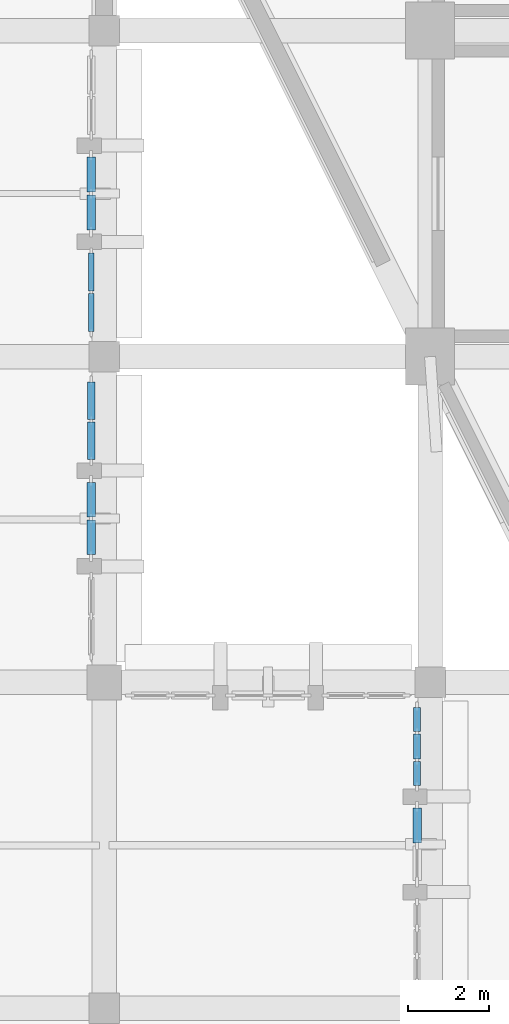
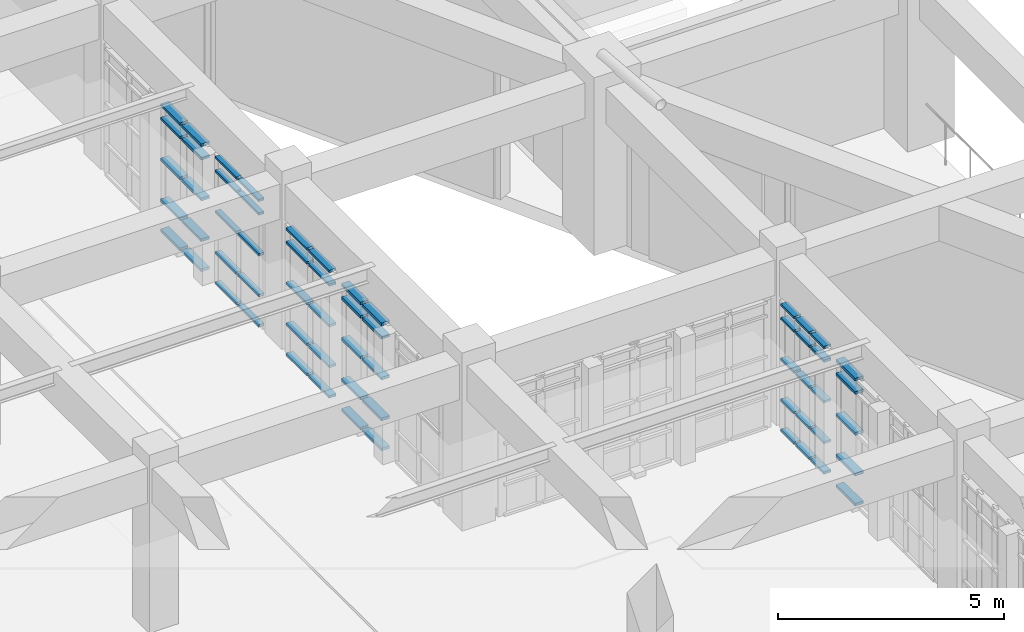
# One storey, part 57 of 155: 60 members, 6 elements without a shape of their own.
"""IFC4 building model written with IfcOpenShell, lengths in metres."""

from ifc_helpers import new_model, si_unit, direction, frame, origin, origin_2d, place, context, subcontext, project, spatial, rectangle, extrude, material, layer, layer_set, material_profile, profile_set, type_object, element, aggregate, save


model = new_model("IFC4")

# Units and contexts
model_context = context("Model", 3, precision=1e-05, world=origin(), true_north=direction((0.0, 1.0)))
body_context = subcontext(model_context, "Body", "Model", "MODEL_VIEW")
ifc_project = project(units=[si_unit("LENGTHUNIT", "METRE"), si_unit("AREAUNIT", "SQUARE_METRE"), si_unit("VOLUMEUNIT", "CUBIC_METRE"), si_unit("PLANEANGLEUNIT", "RADIAN"), si_unit("MASSUNIT", "GRAM", prefix="KILO")], contexts=[model_context])

# Site, building, storey
site_placement = place(None, origin())
site = spatial("IfcSite", under=ifc_project, at=site_placement, CompositionType="ELEMENT")
building_placement = place(site_placement, origin())
building = spatial("IfcBuilding", under=site, at=building_placement, Name="Tazarka Park Arena", CompositionType="ELEMENT")
storey_placement = place(building_placement, frame((0.0, 0.0, 5.39990234375)))
storey = spatial("IfcBuildingStorey", under=building, at=storey_placement, Name="L01", CompositionType="ELEMENT", Elevation=5.39990234375)

# Curtain wall, members
ifc_material_1 = material(Name="Aluminium and low-e glass", Category="aluminium")
ifc_layer_1 = layer(ifc_material_1, 0.179931640625, Name="Aluminium and low-e glass")
ifc_layer_set_1 = layer_set([ifc_layer_1], Name="Aluminium and low-e glass")
curtain_wall_type_1 = type_object("IfcCurtainWallType", Name="CW-18", PredefinedType="NOTDEFINED", material=ifc_layer_set_1)
curtain_wall_1_placement = place(storey_placement, origin())
curtain_wall_1 = element("IfcCurtainWall", 1, at=curtain_wall_1_placement, inside=storey, type_object=curtain_wall_type_1, Name="Curtain Wall CWA-L01-108", PredefinedType="NOTDEFINED")
ifc_material_2 = material(Name="Aluminium 6060-T66", Category="aluminium")
ifc_material_profile_1 = material_profile(ifc_material_2, rectangle(XDim=0.139892578125, YDim=0.06494140625, at=origin_2d()), Name="Aluminium 6060-T66")
ifc_profile_set_1 = profile_set([ifc_material_profile_1], Name="Aluminium 6060-T66")
member_type_1 = type_object("IfcMemberType", Name="CWT-01", PredefinedType="USERDEFINED", material=ifc_profile_set_1)
member_1_placement = place(storey_placement, frame((39.679931640625, 50.543212890625, 0.03271484375), z_axis=(0.0, -1.0, 0.0), x_axis=(1.0, 0.0, 0.0)))
member_1 = element("IfcMember", 2, at=member_1_placement, type_object=member_type_1, Name="CW-18 transom 1.1", ObjectType="TRANSOM", PredefinedType="USERDEFINED", context=body_context, shape_type="SweptSolid", body=[
    extrude(rectangle(XDim=0.139892578125, YDim=0.06494140625, at=origin_2d()), origin(), (0.0, 0.0, 1.0), 0.928955078125),
])
member_2_placement = place(storey_placement, frame((39.679931640625, 50.543212890625, 0.85009765625), z_axis=(0.0, -1.0, 0.0), x_axis=(1.0, 0.0, 0.0)))
member_2 = element("IfcMember", 3, at=member_2_placement, type_object=member_type_1, Name="CW-18 transom 1.2", ObjectType="TRANSOM", PredefinedType="USERDEFINED", context=body_context, shape_type="SweptSolid", body=[
    extrude(rectangle(XDim=0.139892578125, YDim=0.06494140625, at=origin_2d()), origin(), (0.0, 0.0, 1.0), 0.928955078125),
])
member_3_placement = place(storey_placement, frame((39.679931640625, 50.543212890625, 1.9501953125), z_axis=(0.0, -1.0, 0.0), x_axis=(1.0, 0.0, 0.0)))
member_3 = element("IfcMember", 4, at=member_3_placement, type_object=member_type_1, Name="CW-18 transom 1.3", ObjectType="TRANSOM", PredefinedType="USERDEFINED", context=body_context, shape_type="SweptSolid", body=[
    extrude(rectangle(XDim=0.139892578125, YDim=0.06494140625, at=origin_2d()), origin(), (0.0, 0.0, 1.0), 0.928955078125),
])
member_4_placement = place(storey_placement, frame((39.679931640625, 50.543212890625, 3.050048828125), z_axis=(0.0, -1.0, 0.0), x_axis=(1.0, 0.0, 0.0)))
member_4 = element("IfcMember", 5, at=member_4_placement, type_object=member_type_1, Name="CW-18 transom 1.4", ObjectType="TRANSOM", PredefinedType="USERDEFINED", context=body_context, shape_type="SweptSolid", body=[
    extrude(rectangle(XDim=0.139892578125, YDim=0.06494140625, at=origin_2d()), origin(), (0.0, 0.0, 1.0), 0.928955078125),
])
member_5_placement = place(storey_placement, frame((39.679931640625, 50.543212890625, 3.41748046875), z_axis=(0.0, -1.0, 0.0), x_axis=(1.0, 0.0, 0.0)))
member_5 = element("IfcMember", 6, at=member_5_placement, type_object=member_type_1, Name="CW-18 transom 1.5", ObjectType="TRANSOM", PredefinedType="USERDEFINED", context=body_context, shape_type="SweptSolid", body=[
    extrude(rectangle(XDim=0.139892578125, YDim=0.06494140625, at=origin_2d()), origin(), (0.0, 0.0, 1.0), 0.928955078125),
])
member_6_placement = place(storey_placement, frame((39.679931640625, 49.549072265625, 0.03271484375), z_axis=(0.0, -1.0, 0.0), x_axis=(1.0, 0.0, 0.0)))
member_6 = element("IfcMember", 7, at=member_6_placement, type_object=member_type_1, Name="CW-18 transom 2.1", ObjectType="TRANSOM", PredefinedType="USERDEFINED", context=body_context, shape_type="SweptSolid", body=[
    extrude(rectangle(XDim=0.139892578125, YDim=0.06494140625, at=origin_2d()), origin(), (0.0, 0.0, 1.0), 0.928955078125),
])
member_7_placement = place(storey_placement, frame((39.679931640625, 49.549072265625, 0.85009765625), z_axis=(0.0, -1.0, 0.0), x_axis=(1.0, 0.0, 0.0)))
member_7 = element("IfcMember", 8, at=member_7_placement, type_object=member_type_1, Name="CW-18 transom 2.2", ObjectType="TRANSOM", PredefinedType="USERDEFINED", context=body_context, shape_type="SweptSolid", body=[
    extrude(rectangle(XDim=0.139892578125, YDim=0.06494140625, at=origin_2d()), origin(), (0.0, 0.0, 1.0), 0.928955078125),
])
member_8_placement = place(storey_placement, frame((39.679931640625, 49.549072265625, 1.9501953125), z_axis=(0.0, -1.0, 0.0), x_axis=(1.0, 0.0, 0.0)))
member_8 = element("IfcMember", 9, at=member_8_placement, type_object=member_type_1, Name="CW-18 transom 2.3", ObjectType="TRANSOM", PredefinedType="USERDEFINED", context=body_context, shape_type="SweptSolid", body=[
    extrude(rectangle(XDim=0.139892578125, YDim=0.06494140625, at=origin_2d()), origin(), (0.0, 0.0, 1.0), 0.928955078125),
])
member_9_placement = place(storey_placement, frame((39.679931640625, 49.549072265625, 3.050048828125), z_axis=(0.0, -1.0, 0.0), x_axis=(1.0, 0.0, 0.0)))
member_9 = element("IfcMember", 10, at=member_9_placement, type_object=member_type_1, Name="CW-18 transom 2.4", ObjectType="TRANSOM", PredefinedType="USERDEFINED", context=body_context, shape_type="SweptSolid", body=[
    extrude(rectangle(XDim=0.139892578125, YDim=0.06494140625, at=origin_2d()), origin(), (0.0, 0.0, 1.0), 0.928955078125),
])
member_10_placement = place(storey_placement, frame((39.679931640625, 49.549072265625, 3.41748046875), z_axis=(0.0, -1.0, 0.0), x_axis=(1.0, 0.0, 0.0)))
member_10 = element("IfcMember", 11, at=member_10_placement, type_object=member_type_1, Name="CW-18 transom 2.5", ObjectType="TRANSOM", PredefinedType="USERDEFINED", context=body_context, shape_type="SweptSolid", body=[
    extrude(rectangle(XDim=0.139892578125, YDim=0.06494140625, at=origin_2d()), origin(), (0.0, 0.0, 1.0), 0.928955078125),
])
aggregate(curtain_wall_1, [member_1, member_2, member_3, member_4, member_5, member_6, member_7, member_8, member_9, member_10])

ifc_material_3 = material(Name="Aluminium and low-e glass", Category="aluminium")
ifc_layer_2 = layer(ifc_material_3, 0.179931640625, Name="Aluminium and low-e glass")
ifc_layer_set_2 = layer_set([ifc_layer_2], Name="Aluminium and low-e glass")
curtain_wall_type_2 = type_object("IfcCurtainWallType", Name="CW-07", PredefinedType="NOTDEFINED", material=ifc_layer_set_2)
curtain_wall_2_placement = place(storey_placement, origin())
curtain_wall_2 = element("IfcCurtainWall", 12, at=curtain_wall_2_placement, inside=storey, type_object=curtain_wall_type_2, Name="Curtain Wall CWA-L01-097", PredefinedType="NOTDEFINED")
ifc_material_4 = material(Name="Aluminium 6060-T66", Category="aluminium")
ifc_material_profile_2 = material_profile(ifc_material_4, rectangle(XDim=0.179931640625, YDim=0.06494140625, at=origin_2d()), Name="Aluminium 6060-T66")
ifc_profile_set_2 = profile_set([ifc_material_profile_2], Name="Aluminium 6060-T66")
member_type_2 = type_object("IfcMemberType", Name="CWT-02", PredefinedType="USERDEFINED", material=ifc_profile_set_2)
member_11_placement = place(storey_placement, frame((47.679931640625, 39.3798828125, 0.03271484375), z_axis=(0.0, -1.0, 0.0), x_axis=(1.0, 0.0, 0.0)))
member_11 = element("IfcMember", 13, at=member_11_placement, type_object=member_type_2, Name="CW-07 transom 1.1", ObjectType="TRANSOM", PredefinedType="USERDEFINED", context=body_context, shape_type="SweptSolid", body=[
    extrude(rectangle(XDim=0.179931640625, YDim=0.06494140625, at=origin_2d()), origin(), (0.0, 0.0, 1.0), 0.581298828125),
])
member_12_placement = place(storey_placement, frame((47.679931640625, 39.3798828125, 0.85009765625), z_axis=(0.0, -1.0, 0.0), x_axis=(1.0, 0.0, 0.0)))
member_12 = element("IfcMember", 14, at=member_12_placement, type_object=member_type_2, Name="CW-07 transom 1.2", ObjectType="TRANSOM", PredefinedType="USERDEFINED", context=body_context, shape_type="SweptSolid", body=[
    extrude(rectangle(XDim=0.179931640625, YDim=0.06494140625, at=origin_2d()), origin(), (0.0, 0.0, 1.0), 0.581298828125),
])
member_13_placement = place(storey_placement, frame((47.679931640625, 39.3798828125, 1.9501953125), z_axis=(0.0, -1.0, 0.0), x_axis=(1.0, 0.0, 0.0)))
member_13 = element("IfcMember", 15, at=member_13_placement, type_object=member_type_2, Name="CW-07 transom 1.3", ObjectType="TRANSOM", PredefinedType="USERDEFINED", context=body_context, shape_type="SweptSolid", body=[
    extrude(rectangle(XDim=0.179931640625, YDim=0.06494140625, at=origin_2d()), origin(), (0.0, 0.0, 1.0), 0.581298828125),
])
member_14_placement = place(storey_placement, frame((47.679931640625, 39.3798828125, 3.050048828125), z_axis=(0.0, -1.0, 0.0), x_axis=(1.0, 0.0, 0.0)))
member_14 = element("IfcMember", 16, at=member_14_placement, type_object=member_type_2, Name="CW-07 transom 1.4", ObjectType="TRANSOM", PredefinedType="USERDEFINED", context=body_context, shape_type="SweptSolid", body=[
    extrude(rectangle(XDim=0.179931640625, YDim=0.06494140625, at=origin_2d()), origin(), (0.0, 0.0, 1.0), 0.581298828125),
])
member_15_placement = place(storey_placement, frame((47.679931640625, 39.3798828125, 3.41748046875), z_axis=(0.0, -1.0, 0.0), x_axis=(1.0, 0.0, 0.0)))
member_15 = element("IfcMember", 17, at=member_15_placement, type_object=member_type_2, Name="CW-07 transom 1.5", ObjectType="TRANSOM", PredefinedType="USERDEFINED", context=body_context, shape_type="SweptSolid", body=[
    extrude(rectangle(XDim=0.179931640625, YDim=0.06494140625, at=origin_2d()), origin(), (0.0, 0.0, 1.0), 0.581298828125),
])
member_16_placement = place(storey_placement, frame((47.679931640625, 38.733642578125, 0.03271484375), z_axis=(0.0, -1.0, 0.0), x_axis=(1.0, 0.0, 0.0)))
member_16 = element("IfcMember", 18, at=member_16_placement, type_object=member_type_2, Name="CW-07 transom 2.1", ObjectType="TRANSOM", PredefinedType="USERDEFINED", context=body_context, shape_type="SweptSolid", body=[
    extrude(rectangle(XDim=0.179931640625, YDim=0.06494140625, at=origin_2d()), origin(), (0.0, 0.0, 1.0), 0.614013671875),
])
member_17_placement = place(storey_placement, frame((47.679931640625, 38.733642578125, 0.85009765625), z_axis=(0.0, -1.0, 0.0), x_axis=(1.0, 0.0, 0.0)))
member_17 = element("IfcMember", 19, at=member_17_placement, type_object=member_type_2, Name="CW-07 transom 2.2", ObjectType="TRANSOM", PredefinedType="USERDEFINED", context=body_context, shape_type="SweptSolid", body=[
    extrude(rectangle(XDim=0.179931640625, YDim=0.06494140625, at=origin_2d()), origin(), (0.0, 0.0, 1.0), 0.614013671875),
])
member_18_placement = place(storey_placement, frame((47.679931640625, 38.733642578125, 1.9501953125), z_axis=(0.0, -1.0, 0.0), x_axis=(1.0, 0.0, 0.0)))
member_18 = element("IfcMember", 20, at=member_18_placement, type_object=member_type_2, Name="CW-07 transom 2.3", ObjectType="TRANSOM", PredefinedType="USERDEFINED", context=body_context, shape_type="SweptSolid", body=[
    extrude(rectangle(XDim=0.179931640625, YDim=0.06494140625, at=origin_2d()), origin(), (0.0, 0.0, 1.0), 0.614013671875),
])
member_19_placement = place(storey_placement, frame((47.679931640625, 38.733642578125, 3.050048828125), z_axis=(0.0, -1.0, 0.0), x_axis=(1.0, 0.0, 0.0)))
member_19 = element("IfcMember", 21, at=member_19_placement, type_object=member_type_2, Name="CW-07 transom 2.4", ObjectType="TRANSOM", PredefinedType="USERDEFINED", context=body_context, shape_type="SweptSolid", body=[
    extrude(rectangle(XDim=0.179931640625, YDim=0.06494140625, at=origin_2d()), origin(), (0.0, 0.0, 1.0), 0.614013671875),
])
member_20_placement = place(storey_placement, frame((47.679931640625, 38.733642578125, 3.41748046875), z_axis=(0.0, -1.0, 0.0), x_axis=(1.0, 0.0, 0.0)))
member_20 = element("IfcMember", 22, at=member_20_placement, type_object=member_type_2, Name="CW-07 transom 2.5", ObjectType="TRANSOM", PredefinedType="USERDEFINED", context=body_context, shape_type="SweptSolid", body=[
    extrude(rectangle(XDim=0.179931640625, YDim=0.06494140625, at=origin_2d()), origin(), (0.0, 0.0, 1.0), 0.614013671875),
])
member_21_placement = place(storey_placement, frame((47.679931640625, 38.0546875, 0.03271484375), z_axis=(0.0, -1.0, 0.0), x_axis=(1.0, 0.0, 0.0)))
member_21 = element("IfcMember", 23, at=member_21_placement, type_object=member_type_2, Name="CW-07 transom 3.1", ObjectType="TRANSOM", PredefinedType="USERDEFINED", context=body_context, shape_type="SweptSolid", body=[
    extrude(rectangle(XDim=0.179931640625, YDim=0.06494140625, at=origin_2d()), origin(), (0.0, 0.0, 1.0), 0.581298828125),
])
member_22_placement = place(storey_placement, frame((47.679931640625, 38.0546875, 0.85009765625), z_axis=(0.0, -1.0, 0.0), x_axis=(1.0, 0.0, 0.0)))
member_22 = element("IfcMember", 24, at=member_22_placement, type_object=member_type_2, Name="CW-07 transom 3.2", ObjectType="TRANSOM", PredefinedType="USERDEFINED", context=body_context, shape_type="SweptSolid", body=[
    extrude(rectangle(XDim=0.179931640625, YDim=0.06494140625, at=origin_2d()), origin(), (0.0, 0.0, 1.0), 0.581298828125),
])
member_23_placement = place(storey_placement, frame((47.679931640625, 38.0546875, 1.9501953125), z_axis=(0.0, -1.0, 0.0), x_axis=(1.0, 0.0, 0.0)))
member_23 = element("IfcMember", 25, at=member_23_placement, type_object=member_type_2, Name="CW-07 transom 3.3", ObjectType="TRANSOM", PredefinedType="USERDEFINED", context=body_context, shape_type="SweptSolid", body=[
    extrude(rectangle(XDim=0.179931640625, YDim=0.06494140625, at=origin_2d()), origin(), (0.0, 0.0, 1.0), 0.581298828125),
])
member_24_placement = place(storey_placement, frame((47.679931640625, 38.0546875, 3.050048828125), z_axis=(0.0, -1.0, 0.0), x_axis=(1.0, 0.0, 0.0)))
member_24 = element("IfcMember", 26, at=member_24_placement, type_object=member_type_2, Name="CW-07 transom 3.4", ObjectType="TRANSOM", PredefinedType="USERDEFINED", context=body_context, shape_type="SweptSolid", body=[
    extrude(rectangle(XDim=0.179931640625, YDim=0.06494140625, at=origin_2d()), origin(), (0.0, 0.0, 1.0), 0.581298828125),
])
member_25_placement = place(storey_placement, frame((47.679931640625, 38.0546875, 3.41748046875), z_axis=(0.0, -1.0, 0.0), x_axis=(1.0, 0.0, 0.0)))
member_25 = element("IfcMember", 27, at=member_25_placement, type_object=member_type_2, Name="CW-07 transom 3.5", ObjectType="TRANSOM", PredefinedType="USERDEFINED", context=body_context, shape_type="SweptSolid", body=[
    extrude(rectangle(XDim=0.179931640625, YDim=0.06494140625, at=origin_2d()), origin(), (0.0, 0.0, 1.0), 0.581298828125),
])
aggregate(curtain_wall_2, [member_11, member_12, member_13, member_14, member_15, member_16, member_17, member_18, member_19, member_20, member_21, member_22, member_23, member_24, member_25])

ifc_material_5 = material(Name="Aluminium and low-e glass", Category="aluminium")
ifc_layer_3 = layer(ifc_material_5, 0.179931640625, Name="Aluminium and low-e glass")
ifc_layer_set_3 = layer_set([ifc_layer_3], Name="Aluminium and low-e glass")
curtain_wall_type_3 = type_object("IfcCurtainWallType", Name="CW-13", PredefinedType="NOTDEFINED", material=ifc_layer_set_3)
curtain_wall_3_placement = place(storey_placement, origin())
curtain_wall_3 = element("IfcCurtainWall", 28, at=curtain_wall_3_placement, inside=storey, type_object=curtain_wall_type_3, Name="Curtain Wall CWA-L01-103", PredefinedType="NOTDEFINED")
member_26_placement = place(storey_placement, frame((39.679931640625, 47.3798828125, 0.03271484375), z_axis=(0.0, -1.0, 0.0), x_axis=(1.0, 0.0, 0.0)))
member_26 = element("IfcMember", 29, at=member_26_placement, type_object=member_type_2, Name="CW-13 transom 1.1", ObjectType="TRANSOM", PredefinedType="USERDEFINED", context=body_context, shape_type="SweptSolid", body=[
    extrude(rectangle(XDim=0.179931640625, YDim=0.06494140625, at=origin_2d()), origin(), (0.0, 0.0, 1.0), 0.920654296875),
])
member_27_placement = place(storey_placement, frame((39.679931640625, 47.3798828125, 0.85009765625), z_axis=(0.0, -1.0, 0.0), x_axis=(1.0, 0.0, 0.0)))
member_27 = element("IfcMember", 30, at=member_27_placement, type_object=member_type_2, Name="CW-13 transom 1.2", ObjectType="TRANSOM", PredefinedType="USERDEFINED", context=body_context, shape_type="SweptSolid", body=[
    extrude(rectangle(XDim=0.179931640625, YDim=0.06494140625, at=origin_2d()), origin(), (0.0, 0.0, 1.0), 0.920654296875),
])
member_28_placement = place(storey_placement, frame((39.679931640625, 47.3798828125, 1.9501953125), z_axis=(0.0, -1.0, 0.0), x_axis=(1.0, 0.0, 0.0)))
member_28 = element("IfcMember", 31, at=member_28_placement, type_object=member_type_2, Name="CW-13 transom 1.3", ObjectType="TRANSOM", PredefinedType="USERDEFINED", context=body_context, shape_type="SweptSolid", body=[
    extrude(rectangle(XDim=0.179931640625, YDim=0.06494140625, at=origin_2d()), origin(), (0.0, 0.0, 1.0), 0.920654296875),
])
member_29_placement = place(storey_placement, frame((39.679931640625, 47.3798828125, 3.050048828125), z_axis=(0.0, -1.0, 0.0), x_axis=(1.0, 0.0, 0.0)))
member_29 = element("IfcMember", 32, at=member_29_placement, type_object=member_type_2, Name="CW-13 transom 1.4", ObjectType="TRANSOM", PredefinedType="USERDEFINED", context=body_context, shape_type="SweptSolid", body=[
    extrude(rectangle(XDim=0.179931640625, YDim=0.06494140625, at=origin_2d()), origin(), (0.0, 0.0, 1.0), 0.920654296875),
])
member_30_placement = place(storey_placement, frame((39.679931640625, 47.3798828125, 3.41748046875), z_axis=(0.0, -1.0, 0.0), x_axis=(1.0, 0.0, 0.0)))
member_30 = element("IfcMember", 33, at=member_30_placement, type_object=member_type_2, Name="CW-13 transom 1.5", ObjectType="TRANSOM", PredefinedType="USERDEFINED", context=body_context, shape_type="SweptSolid", body=[
    extrude(rectangle(XDim=0.179931640625, YDim=0.06494140625, at=origin_2d()), origin(), (0.0, 0.0, 1.0), 0.920654296875),
])
member_31_placement = place(storey_placement, frame((39.679931640625, 46.39404296875, 0.03271484375), z_axis=(0.0, -1.0, 0.0), x_axis=(1.0, 0.0, 0.0)))
member_31 = element("IfcMember", 34, at=member_31_placement, type_object=member_type_2, Name="CW-13 transom 2.1", ObjectType="TRANSOM", PredefinedType="USERDEFINED", context=body_context, shape_type="SweptSolid", body=[
    extrude(rectangle(XDim=0.179931640625, YDim=0.06494140625, at=origin_2d()), origin(), (0.0, 0.0, 1.0), 0.920654296875),
])
member_32_placement = place(storey_placement, frame((39.679931640625, 46.39404296875, 0.85009765625), z_axis=(0.0, -1.0, 0.0), x_axis=(1.0, 0.0, 0.0)))
member_32 = element("IfcMember", 35, at=member_32_placement, type_object=member_type_2, Name="CW-13 transom 2.2", ObjectType="TRANSOM", PredefinedType="USERDEFINED", context=body_context, shape_type="SweptSolid", body=[
    extrude(rectangle(XDim=0.179931640625, YDim=0.06494140625, at=origin_2d()), origin(), (0.0, 0.0, 1.0), 0.920654296875),
])
member_33_placement = place(storey_placement, frame((39.679931640625, 46.39404296875, 1.9501953125), z_axis=(0.0, -1.0, 0.0), x_axis=(1.0, 0.0, 0.0)))
member_33 = element("IfcMember", 36, at=member_33_placement, type_object=member_type_2, Name="CW-13 transom 2.3", ObjectType="TRANSOM", PredefinedType="USERDEFINED", context=body_context, shape_type="SweptSolid", body=[
    extrude(rectangle(XDim=0.179931640625, YDim=0.06494140625, at=origin_2d()), origin(), (0.0, 0.0, 1.0), 0.920654296875),
])
member_34_placement = place(storey_placement, frame((39.679931640625, 46.39404296875, 3.050048828125), z_axis=(0.0, -1.0, 0.0), x_axis=(1.0, 0.0, 0.0)))
member_34 = element("IfcMember", 37, at=member_34_placement, type_object=member_type_2, Name="CW-13 transom 2.4", ObjectType="TRANSOM", PredefinedType="USERDEFINED", context=body_context, shape_type="SweptSolid", body=[
    extrude(rectangle(XDim=0.179931640625, YDim=0.06494140625, at=origin_2d()), origin(), (0.0, 0.0, 1.0), 0.920654296875),
])
member_35_placement = place(storey_placement, frame((39.679931640625, 46.39404296875, 3.41748046875), z_axis=(0.0, -1.0, 0.0), x_axis=(1.0, 0.0, 0.0)))
member_35 = element("IfcMember", 38, at=member_35_placement, type_object=member_type_2, Name="CW-13 transom 2.5", ObjectType="TRANSOM", PredefinedType="USERDEFINED", context=body_context, shape_type="SweptSolid", body=[
    extrude(rectangle(XDim=0.179931640625, YDim=0.06494140625, at=origin_2d()), origin(), (0.0, 0.0, 1.0), 0.920654296875),
])
aggregate(curtain_wall_3, [member_26, member_27, member_28, member_29, member_30, member_31, member_32, member_33, member_34, member_35])

ifc_material_6 = material(Name="Aluminium and low-e glass", Category="aluminium")
ifc_layer_4 = layer(ifc_material_6, 0.179931640625, Name="Aluminium and low-e glass")
ifc_layer_set_4 = layer_set([ifc_layer_4], Name="Aluminium and low-e glass")
curtain_wall_type_4 = type_object("IfcCurtainWallType", Name="CW-08", PredefinedType="NOTDEFINED", material=ifc_layer_set_4)
curtain_wall_4_placement = place(storey_placement, origin())
curtain_wall_4 = element("IfcCurtainWall", 39, at=curtain_wall_4_placement, inside=storey, type_object=curtain_wall_type_4, Name="Curtain Wall CWA-L01-098", PredefinedType="NOTDEFINED")
ifc_material_7 = material(Name="Aluminium 6060-T66", Category="aluminium")
ifc_material_profile_3 = material_profile(ifc_material_7, rectangle(XDim=0.2099609375, YDim=0.074951171875, at=origin_2d()), Name="Aluminium 6060-T66")
ifc_profile_set_3 = profile_set([ifc_material_profile_3], Name="Aluminium 6060-T66")
member_type_3 = type_object("IfcMemberType", Name="CWT-03", PredefinedType="USERDEFINED", material=ifc_profile_set_3)
member_36_placement = place(storey_placement, frame((47.679931640625, 36.913330078125, 0.03759765625), z_axis=(0.0, -1.0, 0.0), x_axis=(1.0, 0.0, 0.0)))
member_36 = element("IfcMember", 40, at=member_36_placement, type_object=member_type_3, Name="CW-08 transom 1.1", ObjectType="TRANSOM", PredefinedType="USERDEFINED", context=body_context, shape_type="SweptSolid", body=[
    extrude(rectangle(XDim=0.2099609375, YDim=0.074951171875, at=origin_2d()), origin(), (0.0, 0.0, 1.0), 0.850830078125),
])
member_37_placement = place(storey_placement, frame((47.679931640625, 36.913330078125, 0.85009765625), z_axis=(0.0, -1.0, 0.0), x_axis=(1.0, 0.0, 0.0)))
member_37 = element("IfcMember", 41, at=member_37_placement, type_object=member_type_3, Name="CW-08 transom 1.2", ObjectType="TRANSOM", PredefinedType="USERDEFINED", context=body_context, shape_type="SweptSolid", body=[
    extrude(rectangle(XDim=0.2099609375, YDim=0.074951171875, at=origin_2d()), origin(), (0.0, 0.0, 1.0), 0.850830078125),
])
member_38_placement = place(storey_placement, frame((47.679931640625, 36.913330078125, 1.9501953125), z_axis=(0.0, -1.0, 0.0), x_axis=(1.0, 0.0, 0.0)))
member_38 = element("IfcMember", 42, at=member_38_placement, type_object=member_type_3, Name="CW-08 transom 1.3", ObjectType="TRANSOM", PredefinedType="USERDEFINED", context=body_context, shape_type="SweptSolid", body=[
    extrude(rectangle(XDim=0.2099609375, YDim=0.074951171875, at=origin_2d()), origin(), (0.0, 0.0, 1.0), 0.850830078125),
])
member_39_placement = place(storey_placement, frame((47.679931640625, 36.913330078125, 3.050048828125), z_axis=(0.0, -1.0, 0.0), x_axis=(1.0, 0.0, 0.0)))
member_39 = element("IfcMember", 43, at=member_39_placement, type_object=member_type_3, Name="CW-08 transom 1.4", ObjectType="TRANSOM", PredefinedType="USERDEFINED", context=body_context, shape_type="SweptSolid", body=[
    extrude(rectangle(XDim=0.2099609375, YDim=0.074951171875, at=origin_2d()), origin(), (0.0, 0.0, 1.0), 0.850830078125),
])
member_40_placement = place(storey_placement, frame((47.679931640625, 36.913330078125, 3.41259765625), z_axis=(0.0, -1.0, 0.0), x_axis=(1.0, 0.0, 0.0)))
member_40 = element("IfcMember", 44, at=member_40_placement, type_object=member_type_3, Name="CW-08 transom 1.5", ObjectType="TRANSOM", PredefinedType="USERDEFINED", context=body_context, shape_type="SweptSolid", body=[
    extrude(rectangle(XDim=0.2099609375, YDim=0.074951171875, at=origin_2d()), origin(), (0.0, 0.0, 1.0), 0.850830078125),
])
aggregate(curtain_wall_4, [member_36, member_37, member_38, member_39, member_40])

ifc_material_8 = material(Name="Aluminium and low-e glass", Category="aluminium")
ifc_layer_5 = layer(ifc_material_8, 0.179931640625, Name="Aluminium and low-e glass")
ifc_layer_set_5 = layer_set([ifc_layer_5], Name="Aluminium and low-e glass")
curtain_wall_type_5 = type_object("IfcCurtainWallType", Name="CW-14", PredefinedType="NOTDEFINED", material=ifc_layer_set_5)
curtain_wall_5_placement = place(storey_placement, origin())
curtain_wall_5 = element("IfcCurtainWall", 45, at=curtain_wall_5_placement, inside=storey, type_object=curtain_wall_type_5, Name="Curtain Wall CWA-L01-104", PredefinedType="NOTDEFINED")
member_41_placement = place(storey_placement, frame((39.679931640625, 44.913330078125, 0.03759765625), z_axis=(0.0, -1.0, 0.0), x_axis=(1.0, 0.0, 0.0)))
member_41 = element("IfcMember", 46, at=member_41_placement, type_object=member_type_3, Name="CW-14 transom 1.1", ObjectType="TRANSOM", PredefinedType="USERDEFINED", context=body_context, shape_type="SweptSolid", body=[
    extrude(rectangle(XDim=0.2099609375, YDim=0.074951171875, at=origin_2d()), origin(), (0.0, 0.0, 1.0), 0.850830078125),
])
member_42_placement = place(storey_placement, frame((39.679931640625, 44.913330078125, 0.85009765625), z_axis=(0.0, -1.0, 0.0), x_axis=(1.0, 0.0, 0.0)))
member_42 = element("IfcMember", 47, at=member_42_placement, type_object=member_type_3, Name="CW-14 transom 1.2", ObjectType="TRANSOM", PredefinedType="USERDEFINED", context=body_context, shape_type="SweptSolid", body=[
    extrude(rectangle(XDim=0.2099609375, YDim=0.074951171875, at=origin_2d()), origin(), (0.0, 0.0, 1.0), 0.850830078125),
])
member_43_placement = place(storey_placement, frame((39.679931640625, 44.913330078125, 1.9501953125), z_axis=(0.0, -1.0, 0.0), x_axis=(1.0, 0.0, 0.0)))
member_43 = element("IfcMember", 48, at=member_43_placement, type_object=member_type_3, Name="CW-14 transom 1.3", ObjectType="TRANSOM", PredefinedType="USERDEFINED", context=body_context, shape_type="SweptSolid", body=[
    extrude(rectangle(XDim=0.2099609375, YDim=0.074951171875, at=origin_2d()), origin(), (0.0, 0.0, 1.0), 0.850830078125),
])
member_44_placement = place(storey_placement, frame((39.679931640625, 44.913330078125, 3.050048828125), z_axis=(0.0, -1.0, 0.0), x_axis=(1.0, 0.0, 0.0)))
member_44 = element("IfcMember", 49, at=member_44_placement, type_object=member_type_3, Name="CW-14 transom 1.4", ObjectType="TRANSOM", PredefinedType="USERDEFINED", context=body_context, shape_type="SweptSolid", body=[
    extrude(rectangle(XDim=0.2099609375, YDim=0.074951171875, at=origin_2d()), origin(), (0.0, 0.0, 1.0), 0.850830078125),
])
member_45_placement = place(storey_placement, frame((39.679931640625, 44.913330078125, 3.41259765625), z_axis=(0.0, -1.0, 0.0), x_axis=(1.0, 0.0, 0.0)))
member_45 = element("IfcMember", 50, at=member_45_placement, type_object=member_type_3, Name="CW-14 transom 1.5", ObjectType="TRANSOM", PredefinedType="USERDEFINED", context=body_context, shape_type="SweptSolid", body=[
    extrude(rectangle(XDim=0.2099609375, YDim=0.074951171875, at=origin_2d()), origin(), (0.0, 0.0, 1.0), 0.850830078125),
])
member_46_placement = place(storey_placement, frame((39.679931640625, 43.987548828125, 0.03759765625), z_axis=(0.0, -1.0, 0.0), x_axis=(1.0, 0.0, 0.0)))
member_46 = element("IfcMember", 51, at=member_46_placement, type_object=member_type_3, Name="CW-14 transom 2.1", ObjectType="TRANSOM", PredefinedType="USERDEFINED", context=body_context, shape_type="SweptSolid", body=[
    extrude(rectangle(XDim=0.2099609375, YDim=0.074951171875, at=origin_2d()), origin(), (0.0, 0.0, 1.0), 0.850830078125),
])
member_47_placement = place(storey_placement, frame((39.679931640625, 43.987548828125, 0.85009765625), z_axis=(0.0, -1.0, 0.0), x_axis=(1.0, 0.0, 0.0)))
member_47 = element("IfcMember", 52, at=member_47_placement, type_object=member_type_3, Name="CW-14 transom 2.2", ObjectType="TRANSOM", PredefinedType="USERDEFINED", context=body_context, shape_type="SweptSolid", body=[
    extrude(rectangle(XDim=0.2099609375, YDim=0.074951171875, at=origin_2d()), origin(), (0.0, 0.0, 1.0), 0.850830078125),
])
member_48_placement = place(storey_placement, frame((39.679931640625, 43.987548828125, 1.9501953125), z_axis=(0.0, -1.0, 0.0), x_axis=(1.0, 0.0, 0.0)))
member_48 = element("IfcMember", 53, at=member_48_placement, type_object=member_type_3, Name="CW-14 transom 2.3", ObjectType="TRANSOM", PredefinedType="USERDEFINED", context=body_context, shape_type="SweptSolid", body=[
    extrude(rectangle(XDim=0.2099609375, YDim=0.074951171875, at=origin_2d()), origin(), (0.0, 0.0, 1.0), 0.850830078125),
])
member_49_placement = place(storey_placement, frame((39.679931640625, 43.987548828125, 3.050048828125), z_axis=(0.0, -1.0, 0.0), x_axis=(1.0, 0.0, 0.0)))
member_49 = element("IfcMember", 54, at=member_49_placement, type_object=member_type_3, Name="CW-14 transom 2.4", ObjectType="TRANSOM", PredefinedType="USERDEFINED", context=body_context, shape_type="SweptSolid", body=[
    extrude(rectangle(XDim=0.2099609375, YDim=0.074951171875, at=origin_2d()), origin(), (0.0, 0.0, 1.0), 0.850830078125),
])
member_50_placement = place(storey_placement, frame((39.679931640625, 43.987548828125, 3.41259765625), z_axis=(0.0, -1.0, 0.0), x_axis=(1.0, 0.0, 0.0)))
member_50 = element("IfcMember", 55, at=member_50_placement, type_object=member_type_3, Name="CW-14 transom 2.5", ObjectType="TRANSOM", PredefinedType="USERDEFINED", context=body_context, shape_type="SweptSolid", body=[
    extrude(rectangle(XDim=0.2099609375, YDim=0.074951171875, at=origin_2d()), origin(), (0.0, 0.0, 1.0), 0.850830078125),
])
aggregate(curtain_wall_5, [member_41, member_42, member_43, member_44, member_45, member_46, member_47, member_48, member_49, member_50])

ifc_material_9 = material(Name="Aluminium and low-e glass", Category="aluminium")
ifc_layer_6 = layer(ifc_material_9, 0.179931640625, Name="Aluminium and low-e glass")
ifc_layer_set_6 = layer_set([ifc_layer_6], Name="Aluminium and low-e glass")
curtain_wall_type_6 = type_object("IfcCurtainWallType", Name="CW-17", PredefinedType="NOTDEFINED", material=ifc_layer_set_6)
curtain_wall_6_placement = place(storey_placement, origin())
curtain_wall_6 = element("IfcCurtainWall", 56, at=curtain_wall_6_placement, inside=storey, type_object=curtain_wall_type_6, Name="Curtain Wall CWA-L01-107", PredefinedType="NOTDEFINED")
member_51_placement = place(storey_placement, frame((39.679931640625, 52.896728515625, 0.03759765625), z_axis=(0.0, -1.0, 0.0), x_axis=(1.0, 0.0, 0.0)))
member_51 = element("IfcMember", 57, at=member_51_placement, type_object=member_type_3, Name="CW-17 transom 1.1", ObjectType="TRANSOM", PredefinedType="USERDEFINED", context=body_context, shape_type="SweptSolid", body=[
    extrude(rectangle(XDim=0.2099609375, YDim=0.074951171875, at=origin_2d()), origin(), (0.0, 0.0, 1.0), 0.859130859375),
])
member_52_placement = place(storey_placement, frame((39.679931640625, 52.896728515625, 0.85009765625), z_axis=(0.0, -1.0, 0.0), x_axis=(1.0, 0.0, 0.0)))
member_52 = element("IfcMember", 58, at=member_52_placement, type_object=member_type_3, Name="CW-17 transom 1.2", ObjectType="TRANSOM", PredefinedType="USERDEFINED", context=body_context, shape_type="SweptSolid", body=[
    extrude(rectangle(XDim=0.2099609375, YDim=0.074951171875, at=origin_2d()), origin(), (0.0, 0.0, 1.0), 0.859130859375),
])
member_53_placement = place(storey_placement, frame((39.679931640625, 52.896728515625, 1.9501953125), z_axis=(0.0, -1.0, 0.0), x_axis=(1.0, 0.0, 0.0)))
member_53 = element("IfcMember", 59, at=member_53_placement, type_object=member_type_3, Name="CW-17 transom 1.3", ObjectType="TRANSOM", PredefinedType="USERDEFINED", context=body_context, shape_type="SweptSolid", body=[
    extrude(rectangle(XDim=0.2099609375, YDim=0.074951171875, at=origin_2d()), origin(), (0.0, 0.0, 1.0), 0.859130859375),
])
member_54_placement = place(storey_placement, frame((39.679931640625, 52.896728515625, 3.050048828125), z_axis=(0.0, -1.0, 0.0), x_axis=(1.0, 0.0, 0.0)))
member_54 = element("IfcMember", 60, at=member_54_placement, type_object=member_type_3, Name="CW-17 transom 1.4", ObjectType="TRANSOM", PredefinedType="USERDEFINED", context=body_context, shape_type="SweptSolid", body=[
    extrude(rectangle(XDim=0.2099609375, YDim=0.074951171875, at=origin_2d()), origin(), (0.0, 0.0, 1.0), 0.859130859375),
])
member_55_placement = place(storey_placement, frame((39.679931640625, 52.896728515625, 3.41259765625), z_axis=(0.0, -1.0, 0.0), x_axis=(1.0, 0.0, 0.0)))
member_55 = element("IfcMember", 61, at=member_55_placement, type_object=member_type_3, Name="CW-17 transom 1.5", ObjectType="TRANSOM", PredefinedType="USERDEFINED", context=body_context, shape_type="SweptSolid", body=[
    extrude(rectangle(XDim=0.2099609375, YDim=0.074951171875, at=origin_2d()), origin(), (0.0, 0.0, 1.0), 0.859130859375),
])
member_56_placement = place(storey_placement, frame((39.679931640625, 51.96240234375, 0.03759765625), z_axis=(0.0, -1.0, 0.0), x_axis=(1.0, 0.0, 0.0)))
member_56 = element("IfcMember", 62, at=member_56_placement, type_object=member_type_3, Name="CW-17 transom 2.1", ObjectType="TRANSOM", PredefinedType="USERDEFINED", context=body_context, shape_type="SweptSolid", body=[
    extrude(rectangle(XDim=0.2099609375, YDim=0.074951171875, at=origin_2d()), origin(), (0.0, 0.0, 1.0), 0.859130859375),
])
member_57_placement = place(storey_placement, frame((39.679931640625, 51.96240234375, 0.85009765625), z_axis=(0.0, -1.0, 0.0), x_axis=(1.0, 0.0, 0.0)))
member_57 = element("IfcMember", 63, at=member_57_placement, type_object=member_type_3, Name="CW-17 transom 2.2", ObjectType="TRANSOM", PredefinedType="USERDEFINED", context=body_context, shape_type="SweptSolid", body=[
    extrude(rectangle(XDim=0.2099609375, YDim=0.074951171875, at=origin_2d()), origin(), (0.0, 0.0, 1.0), 0.859130859375),
])
member_58_placement = place(storey_placement, frame((39.679931640625, 51.96240234375, 1.9501953125), z_axis=(0.0, -1.0, 0.0), x_axis=(1.0, 0.0, 0.0)))
member_58 = element("IfcMember", 64, at=member_58_placement, type_object=member_type_3, Name="CW-17 transom 2.3", ObjectType="TRANSOM", PredefinedType="USERDEFINED", context=body_context, shape_type="SweptSolid", body=[
    extrude(rectangle(XDim=0.2099609375, YDim=0.074951171875, at=origin_2d()), origin(), (0.0, 0.0, 1.0), 0.859130859375),
])
member_59_placement = place(storey_placement, frame((39.679931640625, 51.96240234375, 3.050048828125), z_axis=(0.0, -1.0, 0.0), x_axis=(1.0, 0.0, 0.0)))
member_59 = element("IfcMember", 65, at=member_59_placement, type_object=member_type_3, Name="CW-17 transom 2.4", ObjectType="TRANSOM", PredefinedType="USERDEFINED", context=body_context, shape_type="SweptSolid", body=[
    extrude(rectangle(XDim=0.2099609375, YDim=0.074951171875, at=origin_2d()), origin(), (0.0, 0.0, 1.0), 0.859130859375),
])
member_60_placement = place(storey_placement, frame((39.679931640625, 51.96240234375, 3.41259765625), z_axis=(0.0, -1.0, 0.0), x_axis=(1.0, 0.0, 0.0)))
member_60 = element("IfcMember", 66, at=member_60_placement, type_object=member_type_3, Name="CW-17 transom 2.5", ObjectType="TRANSOM", PredefinedType="USERDEFINED", context=body_context, shape_type="SweptSolid", body=[
    extrude(rectangle(XDim=0.2099609375, YDim=0.074951171875, at=origin_2d()), origin(), (0.0, 0.0, 1.0), 0.859130859375),
])
aggregate(curtain_wall_6, [member_51, member_52, member_53, member_54, member_55, member_56, member_57, member_58, member_59, member_60])

save(model, "model.ifc")
